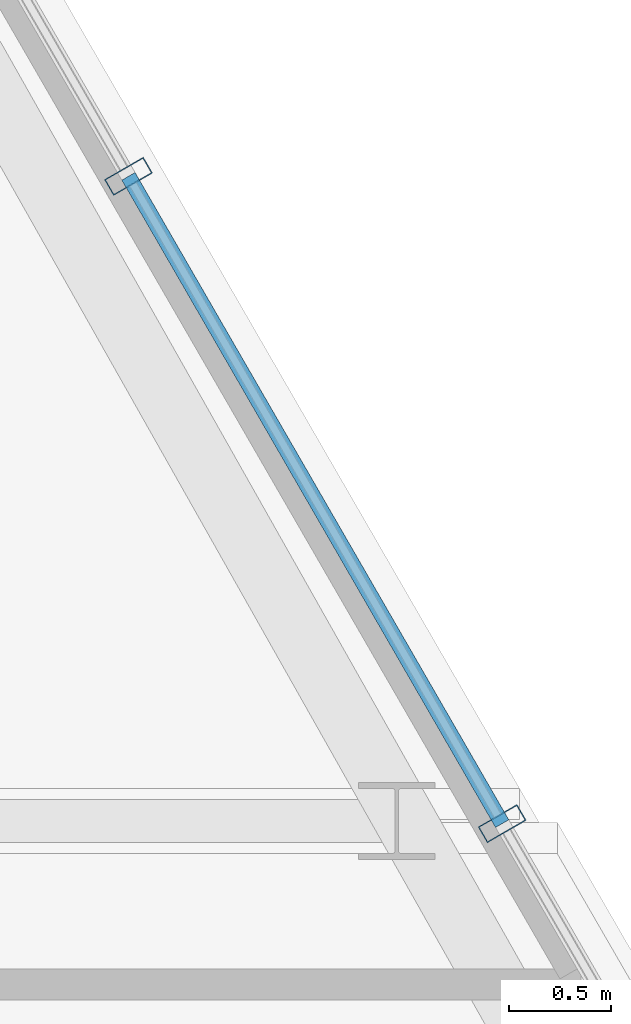
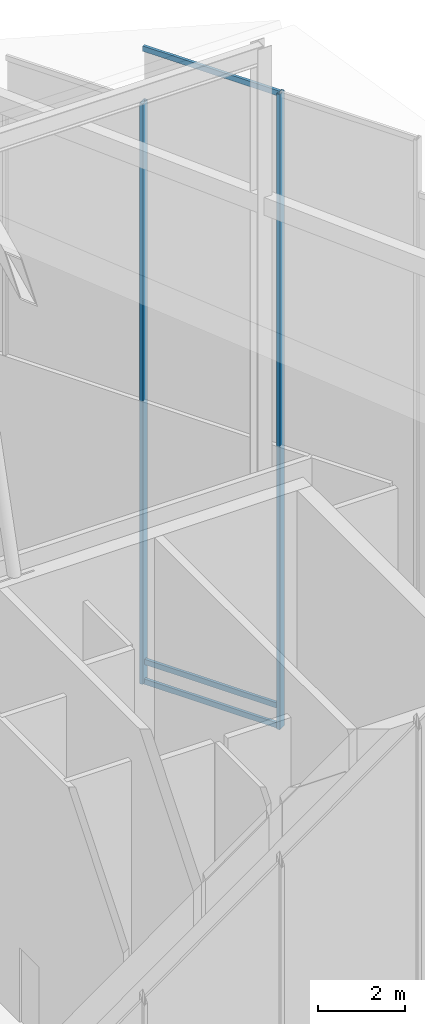
# One storey, part 26 of 36: 5 members, 2 elements without a shape of their own.
"""IFC4 building model written with IfcOpenShell, lengths in metres."""

from ifc_helpers import new_model, si_unit, direction, frame, origin, origin_2d, place, context, subcontext, project, spatial, hollow_rectangle, extrude, material, layer, layer_set, material_profile, profile_set, type_object, element, aggregate, save


model = new_model("IFC4")

# Units and contexts
model_context = context("Model", 3, precision=1e-05, world=origin(), true_north=direction((0.0, 1.0)))
body_context = subcontext(model_context, "Body", "Model", "MODEL_VIEW")
ifc_project = project(units=[si_unit("LENGTHUNIT", "METRE"), si_unit("AREAUNIT", "SQUARE_METRE"), si_unit("VOLUMEUNIT", "CUBIC_METRE"), si_unit("PLANEANGLEUNIT", "RADIAN"), si_unit("MASSUNIT", "GRAM", prefix="KILO")], contexts=[model_context])

# Site, building, storey
site_placement = place(None, origin())
site = spatial("IfcSite", under=ifc_project, at=site_placement, CompositionType="ELEMENT")
building_placement = place(site_placement, origin())
building = spatial("IfcBuilding", under=site, at=building_placement, Name="Ndaravel Arena Tower", CompositionType="ELEMENT")
storey_placement = place(building_placement, frame((0.0, 0.0, 308.10009765625)))
storey = spatial("IfcBuildingStorey", under=building, at=storey_placement, Name="Roof Crown", CompositionType="ELEMENT", Elevation=308.10009765625)

# Curtain wall, member
ifc_material_1 = material(Name="Aluminium", Category="aluminium")
ifc_layer = layer(ifc_material_1, 0.179931640625)
ifc_layer_set = layer_set([ifc_layer], Name="Aluminium")
curtain_wall_type = type_object("IfcCurtainWallType", Name="CW-SYS-06", PredefinedType="NOTDEFINED", material=ifc_layer_set)
curtain_wall_1_placement = place(storey_placement, origin())
curtain_wall_1 = element("IfcCurtainWall", 1, at=curtain_wall_1_placement, inside=storey, type_object=curtain_wall_type, Name="Roof Crown Sloped Crown Lantern Curtain Wall CW-CROWN-E03-S04", PredefinedType="NOTDEFINED")
ifc_material_2 = material(Name="Aluminium", Category="aluminium")
ifc_material_profile_1 = material_profile(ifc_material_2, hollow_rectangle(XDim=0.090087890625, YDim=0.219970703125, WallThickness=0.0048828125, at=origin_2d()), Name="CW MULLION 90x220x5")
ifc_profile_set_1 = profile_set([ifc_material_profile_1], Name="Aluminium")
member_type_1 = type_object("IfcMemberType", Name="MEM-CW-MUL220", PredefinedType="MULLION", material=ifc_profile_set_1)
member_1_placement = place(storey_placement, frame((58.548828125, 17.987060546875, 0.0), z_axis=(0.0, 0.0, 1.0), x_axis=(-0.499984884929, 0.866034130299, 0.0)))
member_1 = element("IfcMember", 2, at=member_1_placement, type_object=member_type_1, Name="CW-CROWN-E03-S04 Mullion 00", PredefinedType="MULLION", context=body_context, shape_type="SweptSolid", body=[
    extrude(hollow_rectangle(XDim=0.090087890625, YDim=0.219970703125, WallThickness=0.0048828125, at=origin_2d()), origin(), (0.0, 0.0, 1.0), 17.931884765625),
])

curtain_wall_2_placement = place(storey_placement, origin())
curtain_wall_2 = element("IfcCurtainWall", 3, at=curtain_wall_2_placement, inside=storey, type_object=curtain_wall_type, Name="Roof Crown Sloped Crown Lantern Curtain Wall CW-CROWN-E03-S05", PredefinedType="NOTDEFINED")
member_2_placement = place(storey_placement, frame((56.72021484375, 21.154296875, 0.0), z_axis=(0.0, 0.0, 1.0), x_axis=(-0.500015114919, 0.866016677006, 0.0)))
member_2 = element("IfcMember", 4, at=member_2_placement, type_object=member_type_1, Name="CW-CROWN-E03-S05 Mullion 00", PredefinedType="MULLION", context=body_context, shape_type="SweptSolid", body=[
    extrude(hollow_rectangle(XDim=0.090087890625, YDim=0.219970703125, WallThickness=0.0048828125, at=origin_2d()), origin(), (0.0, 0.0, 1.0), 16.38720703125),
])
aggregate(curtain_wall_2, [member_2])

# Member
ifc_material_3 = material(Name="Aluminium", Category="aluminium")
ifc_material_profile_2 = material_profile(ifc_material_3, hollow_rectangle(XDim=0.074951171875, YDim=0.14990234375, WallThickness=0.00390625, at=origin_2d()), Name="CW TRANSOM 75x150x4")
ifc_profile_set_2 = profile_set([ifc_material_profile_2], Name="Aluminium")
member_type_2 = type_object("IfcMemberType", Name="MEM-CW-TRN150", PredefinedType="USERDEFINED", material=ifc_profile_set_2)
member_3_placement = place(storey_placement, frame((58.548828125, 17.987060546875, 0.039794921875), z_axis=(-0.500001750229, 0.866024393287, 0.0), x_axis=(-0.866024393287, -0.500001750229, 0.0)))
member_3 = element("IfcMember", 5, at=member_3_placement, type_object=member_type_2, Name="CW-CROWN-E03-S04 Transom 01", ObjectType="TRANSOM", PredefinedType="USERDEFINED", context=body_context, shape_type="SweptSolid", body=[
    extrude(hollow_rectangle(XDim=0.074951171875, YDim=0.14990234375, WallThickness=0.00390625, at=origin_2d()), origin(), (0.0, 0.0, 1.0), 3.6572265625),
])

member_4_placement = place(storey_placement, frame((58.548828125, 17.987060546875, 0.599853515625), z_axis=(-0.500001750229, 0.866024393287, 0.0), x_axis=(-0.866024393287, -0.500001750229, 0.0)))
member_4 = element("IfcMember", 6, at=member_4_placement, type_object=member_type_2, Name="CW-CROWN-E03-S04 Transom 02", ObjectType="TRANSOM", PredefinedType="USERDEFINED", context=body_context, shape_type="SweptSolid", body=[
    extrude(hollow_rectangle(XDim=0.074951171875, YDim=0.14990234375, WallThickness=0.00390625, at=origin_2d()), origin(), (0.0, 0.0, 1.0), 3.6572265625),
])

member_5_placement = place(storey_placement, frame((58.548828125, 17.987060546875, 17.89208984375), z_axis=(-0.500001750229, 0.866024393287, 0.0), x_axis=(-0.866024393287, -0.500001750229, 0.0)))
member_5 = element("IfcMember", 7, at=member_5_placement, type_object=member_type_2, Name="CW-CROWN-E03-S04 Transom 03", ObjectType="TRANSOM", PredefinedType="USERDEFINED", context=body_context, shape_type="SweptSolid", body=[
    extrude(hollow_rectangle(XDim=0.074951171875, YDim=0.14990234375, WallThickness=0.00390625, at=origin_2d()), origin(), (0.0, 0.0, 1.0), 3.6572265625),
])

aggregate(curtain_wall_1, [member_1, member_3, member_4, member_5])

save(model, "model.ifc")
